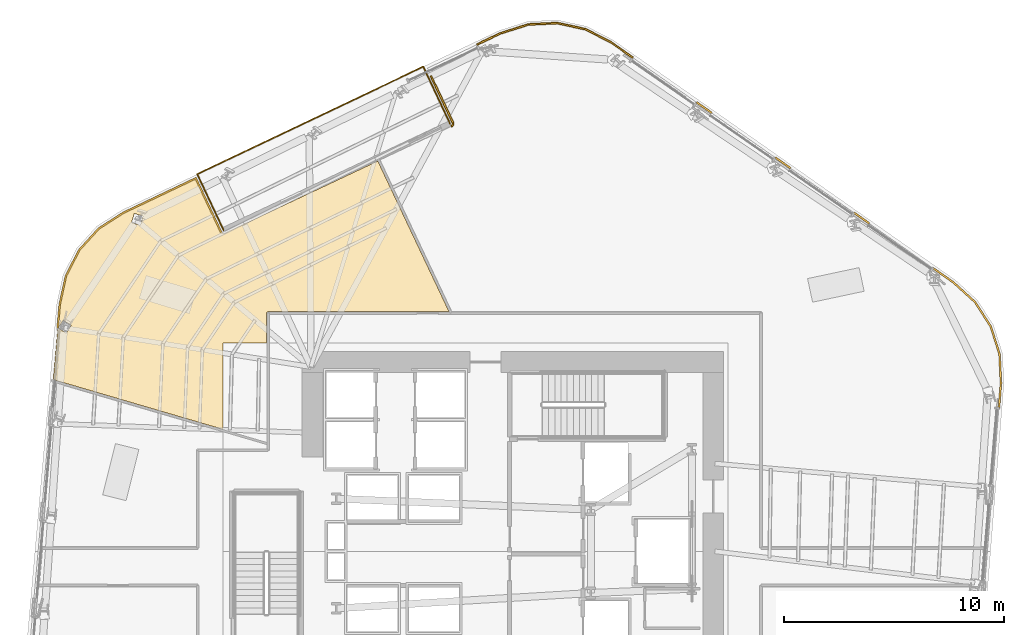
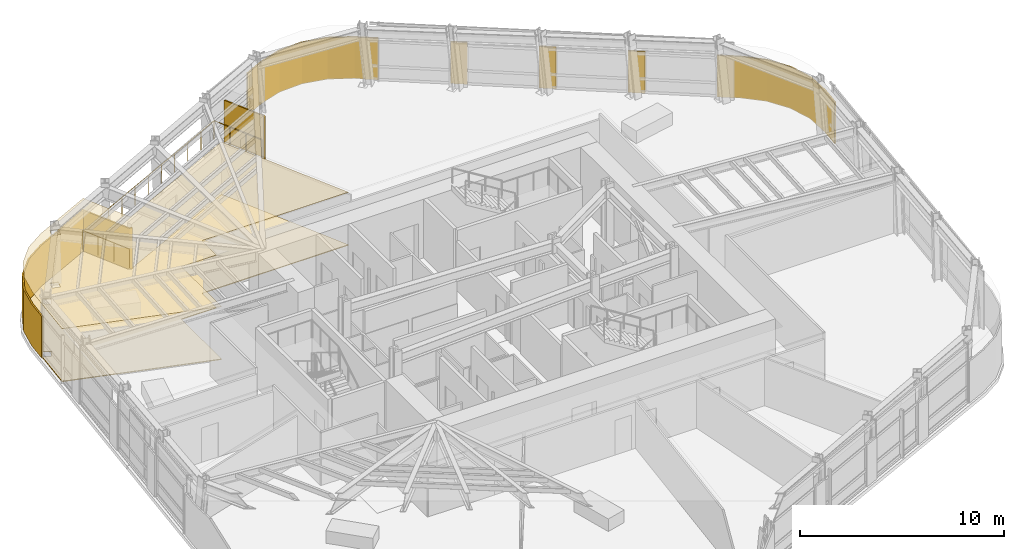
# One storey, part 18 of 19: 9 coverings, 3 railings.
"""IFC4 building model written with IfcOpenShell, lengths in metres."""

import ifcopenshell
import ifcopenshell.guid

model = None  # the IFC model being written
_history = None  # IfcOwnerHistory: only IFC2X3 demands one
_inside = {}  # id of a spatial element -> (the spatial element, [elements in it])
_under = {}  # id of a project, library or spatial element -> (it, [spatial elements below it])
_declared = {}  # id of a project -> (the project, [libraries it declares])
_typed = {}  # id of a type object -> (the type object, [elements of that type])
_made_of = {}  # id of a material, layer set ... -> (it, [elements and type objects made of it])


def new_model(schema):
    """Start an empty IFC model of exactly this schema.

    Asked for "IFC4X3", IfcOpenShell would pick the latest addendum, in which some entities
    have other attributes; the version numbers below select the first issue.
    IFC2X3 requires an IfcOwnerHistory on every rooted entity: one is made here for all.
    """
    global model, _history
    if schema == "IFC4X3":
        model = ifcopenshell.file(schema_version=(4, 3, 0, 0))
    else:
        model = ifcopenshell.file(schema=schema)
    _inside.clear()
    _under.clear()
    _declared.clear()
    _typed.clear()
    _made_of.clear()
    _history = None
    if model.schema == "IFC2X3":
        org = make("IfcOrganization", Name="unknown")
        user = make(
            "IfcPersonAndOrganization",
            ThePerson=make("IfcPerson", FamilyName="unknown"),
            TheOrganization=org,
        )
        app = make(
            "IfcApplication",
            ApplicationDeveloper=org,
            Version="unknown",
            ApplicationFullName="unknown",
            ApplicationIdentifier="unknown",
        )
        _history = make(
            "IfcOwnerHistory",
            OwningUser=user,
            OwningApplication=app,
            ChangeAction="ADDED",
            CreationDate=0,
        )
    return model


def make(cls, **values):
    """One entity of the class cls with the attributes given. An attribute that is None is left unset."""
    return model.create_entity(
        cls, **{name: value for name, value in values.items() if value is not None}
    )


def rooted(cls, **values):
    """An entity with a GlobalId (a new one), such as an element, a storey or a relation."""
    return make(cls, GlobalId=ifcopenshell.guid.new(), OwnerHistory=_history, **values)


def si_unit(unit_type, name, prefix=None):
    """IfcSIUnit, for example si_unit("LENGTHUNIT", "METRE", prefix="MILLI")."""
    return make("IfcSIUnit", UnitType=unit_type, Prefix=prefix, Name=name)


def assignment(units):
    """IfcUnitAssignment: the units of a project."""
    return None if units is None else make("IfcUnitAssignment", Units=units)


def point(xyz):
    """IfcCartesianPoint."""
    return None if xyz is None else make("IfcCartesianPoint", Coordinates=xyz)


def direction(xyz):
    """IfcDirection."""
    return None if xyz is None else make("IfcDirection", DirectionRatios=xyz)


def frame(location, z_axis=None, x_axis=None):
    """IfcAxis2Placement3D, a coordinate frame: its origin and axes. An axis left out is left unset."""
    return make(
        "IfcAxis2Placement3D",
        Location=point(location),
        Axis=direction(z_axis),
        RefDirection=direction(x_axis),
    )


def frame_2d(location, x_axis=None):
    """IfcAxis2Placement2D, a coordinate frame in the plane: its origin and x axis."""
    return make(
        "IfcAxis2Placement2D", Location=point(location), RefDirection=direction(x_axis)
    )


def origin():
    """The frame at (0, 0, 0) with its axes left unset."""
    return frame((0.0, 0.0, 0.0))


def origin_2d():
    """The frame at (0, 0) in the plane with its x axis left unset."""
    return frame_2d((0.0, 0.0))


def place(relative_to, where):
    """IfcLocalPlacement: puts the frame where relative to a parent placement (None: the world)."""
    return make(
        "IfcLocalPlacement", PlacementRelTo=relative_to, RelativePlacement=where
    )


def context(
    kind, dimensions, precision=None, world=None, true_north=None, identifier=None
):
    """IfcGeometricRepresentationContext, for example the 3D "Model" context."""
    return make(
        "IfcGeometricRepresentationContext",
        ContextIdentifier=identifier,
        ContextType=kind,
        CoordinateSpaceDimension=dimensions,
        Precision=precision,
        WorldCoordinateSystem=world,
        TrueNorth=true_north,
    )


def subcontext(parent, identifier, kind, view, scale=None):
    """IfcGeometricRepresentationSubContext, for example "Body" below "Model"."""
    return make(
        "IfcGeometricRepresentationSubContext",
        ContextIdentifier=identifier,
        ContextType=kind,
        ParentContext=parent,
        TargetScale=scale,
        TargetView=view,
    )


def project(units=None, contexts=None):
    """IfcProject with its units and contexts."""
    return rooted(
        "IfcProject",
        Name="project",
        RepresentationContexts=contexts,
        UnitsInContext=assignment(units),
    )


def spatial(cls, under=None, at=None, **own):
    """A site, building, storey or space (cls), placed at a placement, below another one or the project."""
    s = rooted(cls, ObjectPlacement=at, **own)
    if under is not None:
        _under.setdefault(under.id(), (under, []))[1].append(s)
    return s


def polyline(points):
    """IfcPolyline through the points."""
    return make("IfcPolyline", Points=[point(p) for p in points])


def profile(cls, at=None, kind="AREA", **sizes):
    """A parametric profile (cls). Its sizes go by their IFC names, for example OverallWidth=200.0."""
    return make(cls, ProfileType=kind, Position=at, **sizes)


def circle(**sizes):
    """IfcCircleProfileDef."""
    return profile("IfcCircleProfileDef", **sizes)


def outline(outer, holes=None, kind="AREA"):
    """IfcArbitraryClosedProfileDef: a profile drawn as a closed curve; with holes, ...WithVoids."""
    if holes is None:
        return make("IfcArbitraryClosedProfileDef", ProfileType=kind, OuterCurve=outer)
    return make(
        "IfcArbitraryProfileDefWithVoids",
        ProfileType=kind,
        OuterCurve=outer,
        InnerCurves=holes,
    )


def extrude(swept, where, along, depth):
    """IfcExtrudedAreaSolid: the profile swept, set in the frame where, extruded along a direction by depth."""
    return make(
        "IfcExtrudedAreaSolid",
        SweptArea=swept,
        Position=where,
        ExtrudedDirection=direction(along),
        Depth=depth,
    )


def shape(context_of_items, identifier, shape_type, items):
    """IfcShapeRepresentation: the items that make up one representation, for example the "Body"."""
    return make(
        "IfcShapeRepresentation",
        ContextOfItems=context_of_items,
        RepresentationIdentifier=identifier,
        RepresentationType=shape_type,
        Items=items,
    )


def material(Name=None, Category=None):
    """IfcMaterial."""
    return make("IfcMaterial", Name=Name, Category=Category)


def layer(
    of_material, thickness, ventilated=None, Name=None, Category=None, Priority=None
):
    """IfcMaterialLayer: one layer of a wall or slab, of a material (None: an air gap)."""
    return make(
        "IfcMaterialLayer",
        Material=of_material,
        LayerThickness=thickness,
        IsVentilated=ventilated,
        Name=Name,
        Category=Category,
        Priority=Priority,
    )


def layer_set(layers, Name=None):
    """IfcMaterialLayerSet."""
    return make("IfcMaterialLayerSet", MaterialLayers=layers, LayerSetName=Name)


def made_of(thing, what):
    """Note that an element or type object is made of a material, layer set ...; save() writes the relation."""
    if what is not None:
        _made_of.setdefault(what.id(), (what, []))[1].append(thing)
    return thing


def type_object(cls, material=None, **own):
    """A type object (cls), such as IfcWallType, which elements share."""
    return made_of(rooted(cls, **own), material)


def element(
    cls,
    number,
    at=None,
    inside=None,
    cuts=None,
    type_object=None,
    material=None,
    context=None,
    identifier="Body",
    shape_type=None,
    held_by="IfcProductDefinitionShape",
    body=None,
    shapes=None,
    **own,
):
    """One element of the class cls, such as IfcWall. Its Tag is "e" and its number.

    at: its placement. inside: the storey or other place that contains it. cuts: it is an
    opening in that element (IfcRelVoidsElement). A single representation is given by context,
    identifier, shape_type and body (its items); several are given by shapes. held_by: the class
    of the entity that holds the representations. save() writes the other relations.
    """
    e = rooted(cls, Tag="e%d" % number, ObjectPlacement=at, **own)
    if body is not None:
        shapes = [shape(context, identifier, shape_type, body)]
    if shapes is not None:
        e.Representation = make(held_by, Representations=shapes)
    if inside is not None:
        _inside.setdefault(inside.id(), (inside, []))[1].append(e)
    if cuts is not None:
        rooted(
            "IfcRelVoidsElement", RelatingBuildingElement=cuts, RelatedOpeningElement=e
        )
    if type_object is not None:
        _typed.setdefault(type_object.id(), (type_object, []))[1].append(e)
    return made_of(e, material)


def aggregate(whole, parts):
    """IfcRelAggregates: a whole, such as a stair, and the parts it consists of."""
    return rooted("IfcRelAggregates", RelatingObject=whole, RelatedObjects=parts)


def save(model, path):
    """Write the relations noted so far, then the file.

    IfcRelAggregates (storeys below a building ...), IfcRelContainedInSpatialStructure (elements
    in a storey), IfcRelDefinesByType, IfcRelAssociatesMaterial and IfcRelDeclares: one each for
    every whole, place, type object, material and project.
    """
    for whole, parts in _under.values():
        aggregate(whole, parts)
    for where, things in _inside.values():
        rooted(
            "IfcRelContainedInSpatialStructure",
            RelatedElements=things,
            RelatingStructure=where,
        )
    for kind, things in _typed.values():
        rooted("IfcRelDefinesByType", RelatedObjects=things, RelatingType=kind)
    for what, things in _made_of.values():
        rooted("IfcRelAssociatesMaterial", RelatedObjects=things, RelatingMaterial=what)
    for by, libraries in _declared.values():
        rooted("IfcRelDeclares", RelatingContext=by, RelatedDefinitions=libraries)
    model.write(path)


model = new_model("IFC4")

# Units and contexts
model_context = context("Model", 3, precision=1e-05, world=origin(), true_north=direction((0.0, 1.0)))
body_context = subcontext(model_context, "Body", "Model", "MODEL_VIEW")
ifc_project = project(units=[si_unit("LENGTHUNIT", "METRE"), si_unit("AREAUNIT", "SQUARE_METRE"), si_unit("VOLUMEUNIT", "CUBIC_METRE"), si_unit("PLANEANGLEUNIT", "RADIAN"), si_unit("MASSUNIT", "GRAM", prefix="KILO")], contexts=[model_context])

# Site, building, storey
site_placement = place(None, origin())
site = spatial("IfcSite", under=ifc_project, at=site_placement, CompositionType="ELEMENT")
building_placement = place(site_placement, origin())
building = spatial("IfcBuilding", under=site, at=building_placement, Name="Valkerne Bourse Tower", CompositionType="ELEMENT")
storey_placement = place(building_placement, frame((0.0, 0.0, 131.39990234375)))
storey = spatial("IfcBuildingStorey", under=building, at=storey_placement, Name="L33", CompositionType="ELEMENT", Elevation=131.39990234375)

# Coverings
ifc_material_1 = material(Name="Mineral Fiber Acoustic Ceiling Tile", Category="acoustic")
ifc_layer_1 = layer(ifc_material_1, 0.02490234375)
ifc_layer_set_1 = layer_set([ifc_layer_1], Name="Mineral Fiber Acoustic Ceiling Tile")
covering_type_1 = type_object("IfcCoveringType", Name="COV-CEIL-ACT", PredefinedType="CEILING", material=ifc_layer_set_1)
covering_1_placement = place(storey_placement, frame((0.0, 0.0, 3.170166015625)))
element("IfcCovering", 1, at=covering_1_placement, inside=storey, type_object=covering_type_1, Name="L33 Suspended Ceiling 08", PredefinedType="CEILING", context=body_context, shape_type="SweptSolid", body=[
    extrude(outline(polyline([(27.051025390625, 40.725830078125), (27.939208984375, 41.701904296875), (29.057861328125, 42.419921875), (32.348388671875, 43.985595703125), (33.486083984375, 41.568115234375), (33.509521484375, 41.533203125), (33.5419921875, 41.506103515625), (33.5810546875, 41.489990234375), (33.623291015625, 41.485595703125), (33.67724609375, 41.4990234375), (40.644775390625, 44.77783203125), (43.889404296875, 37.9189453125), (35.6494140625, 37.9189453125), (35.609375, 37.906005859375), (35.587890625, 37.880126953125), (35.5810546875, 37.8505859375), (35.5810546875, 36.5), (33.60009765625, 36.5), (33.60009765625, 32.55419921875), (25.85986328125, 34.821044921875), (26.16259765625, 38.25439453125), (26.44580078125, 39.55322265625), (27.051025390625, 40.725830078125)]), holes=[polyline([(26.67724609375, 37.2958984375), (26.3095703125, 37.52294921875), (26.09130859375, 37.170166015625), (26.089599609375, 37.1669921875), (26.457275390625, 36.93994140625), (26.67578125, 37.292724609375), (26.67724609375, 37.2958984375)]), polyline([(29.95068359375, 42.271728515625), (29.5517578125, 42.391357421875), (29.549560546875, 42.388916015625), (29.427490234375, 41.975830078125), (29.826416015625, 41.8564453125), (29.82861328125, 41.85888671875), (29.95068359375, 42.271728515625)])]), origin(), (0.0, 0.0, 1.0), 0.02490234375),
])
ifc_material_2 = material(Name="Bronze Anodised Aluminium AA 6063-T6", Category="aluminium")
ifc_layer_2 = layer(ifc_material_2, 0.06005859375)
ifc_layer_set_2 = layer_set([ifc_layer_2], Name="Bronze Anodised Aluminium AA 6063-T6")
covering_type_2 = type_object("IfcCoveringType", Name="COV-CRN-ALUM", PredefinedType="CLADDING", material=ifc_layer_set_2)
covering_2_placement = place(storey_placement, origin())
element("IfcCovering", 2, at=covering_2_placement, inside=storey, type_object=covering_type_2, Name="L33 Wind-Shaped Corner Aluminium Cladding 01", PredefinedType="CLADDING", context=body_context, shape_type="SweptSolid", body=[
    extrude(outline(polyline([(48.823974609375, 51.103271484375), (50.12451171875, 50.819580078125), (51.31298828125, 50.2060546875), (52.289306640625, 49.521484375), (52.243408203125, 49.455810546875), (51.271484375, 50.137451171875), (50.097412109375, 50.74365234375), (48.817138671875, 51.022705078125), (47.5087890625, 50.9609375), (46.24951171875, 50.55908203125), (45.177734375, 50.04931640625), (45.1435546875, 50.12158203125), (46.22021484375, 50.6337890625), (47.494384765625, 51.040283203125), (48.823974609375, 51.103271484375)])), origin(), (0.0, 0.0, 1.0), 2.5),
])
covering_3_placement = place(storey_placement, origin())
element("IfcCovering", 3, at=covering_3_placement, inside=storey, type_object=covering_type_2, Name="L33 Wind-Shaped Corner Aluminium Cladding 02", PredefinedType="CLADDING", context=body_context, shape_type="SweptSolid", body=[
    extrude(outline(polyline([(55.877685546875, 47.0048828125), (55.83203125, 46.939208984375), (55.144287109375, 47.42138671875), (55.18994140625, 47.4873046875), (55.877685546875, 47.0048828125)])), origin(), (0.0, 0.0, 1.0), 2.5),
])
covering_4_placement = place(storey_placement, origin())
element("IfcCovering", 4, at=covering_4_placement, inside=storey, type_object=covering_type_2, Name="L33 Wind-Shaped Corner Aluminium Cladding 03", PredefinedType="CLADDING", context=body_context, shape_type="SweptSolid", body=[
    extrude(outline(polyline([(59.466064453125, 44.48828125), (59.42041015625, 44.422607421875), (58.732666015625, 44.90478515625), (58.7783203125, 44.970703125), (59.466064453125, 44.48828125)])), origin(), (0.0, 0.0, 1.0), 2.5),
])
covering_5_placement = place(storey_placement, origin())
element("IfcCovering", 5, at=covering_5_placement, inside=storey, type_object=covering_type_2, Name="L33 Wind-Shaped Corner Aluminium Cladding 04", PredefinedType="CLADDING", context=body_context, shape_type="SweptSolid", body=[
    extrude(outline(polyline([(63.054443359375, 41.971435546875), (63.0087890625, 41.90576171875), (62.3212890625, 42.38818359375), (62.366943359375, 42.453857421875), (63.054443359375, 41.971435546875)])), origin(), (0.0, 0.0, 1.0), 2.5),
])
covering_6_placement = place(storey_placement, origin())
element("IfcCovering", 6, at=covering_6_placement, inside=storey, type_object=covering_type_2, Name="L33 Wind-Shaped Corner Aluminium Cladding 05", PredefinedType="CLADDING", context=body_context, shape_type="SweptSolid", body=[
    extrude(outline(polyline([(66.892822265625, 39.27978515625), (67.88232421875, 38.379150390625), (68.6015625, 37.259033203125), (69.006103515625, 35.990966796875), (69.0693359375, 34.654296875), (68.978271484375, 33.512939453125), (68.898681640625, 33.519775390625), (68.9892578125, 34.65576171875), (68.9267578125, 35.9765625), (68.528564453125, 37.224609375), (67.82080078125, 38.3271484375), (66.8427734375, 39.217041015625), (65.90966796875, 39.871337890625), (65.955322265625, 39.93701171875), (66.892822265625, 39.27978515625)])), origin(), (0.0, 0.0, 1.0), 2.5),
])
covering_7_placement = place(storey_placement, origin())
element("IfcCovering", 7, at=covering_7_placement, inside=storey, type_object=covering_type_2, Name="L33 Wind-Shaped Corner Aluminium Cladding 21", PredefinedType="CLADDING", context=body_context, shape_type="SweptSolid", body=[
    extrude(outline(polyline([(26.119140625, 38.260986328125), (26.404052734375, 39.568359375), (27.0146484375, 40.751220703125), (27.910400390625, 41.73583984375), (29.03662109375, 42.45849609375), (32.369384765625, 44.044189453125), (33.52587890625, 41.5869140625), (33.530517578125, 41.578369140625), (33.535888671875, 41.5703125), (33.5419921875, 41.5625), (33.549072265625, 41.5556640625), (33.556640625, 41.54931640625), (33.564697265625, 41.5439453125), (33.573486328125, 41.539306640625), (33.58251953125, 41.535400390625), (33.591796875, 41.53271484375), (33.601318359375, 41.53076171875), (33.611083984375, 41.52978515625), (33.62109375, 41.52978515625), (33.630859375, 41.53076171875), (33.640380859375, 41.532470703125), (33.64990234375, 41.535400390625), (33.658935546875, 41.5390625), (33.69287109375, 41.466796875), (33.676513671875, 41.4599609375), (33.65966796875, 41.454833984375), (33.642333984375, 41.451416015625), (33.624755859375, 41.44970703125), (33.607177734375, 41.44970703125), (33.589599609375, 41.45166015625), (33.572265625, 41.455078125), (33.555419921875, 41.460205078125), (33.5390625, 41.467041015625), (33.5234375, 41.475341796875), (33.5087890625, 41.485107421875), (33.4951171875, 41.49658203125), (33.482666015625, 41.509033203125), (33.471435546875, 41.522705078125), (33.461669921875, 41.537353515625), (33.453369140625, 41.552978515625), (32.331298828125, 43.9375), (29.075439453125, 42.388427734375), (27.962646484375, 41.674072265625), (27.080810546875, 40.705078125), (26.47998046875, 39.541015625), (26.198486328125, 38.248779296875), (26.09814453125, 37.11376953125), (26.0185546875, 37.120361328125), (26.119140625, 38.260986328125)])), origin(), (0.0, 0.0, 1.0), 2.5),
])
covering_8_placement = place(storey_placement, origin())
element("IfcCovering", 8, at=covering_8_placement, inside=storey, type_object=covering_type_2, Name="L33 Wind-Shaped Corner Aluminium Cladding 22", PredefinedType="CLADDING", context=body_context, shape_type="SweptSolid", body=[
    extrude(outline(polyline([(43.973876953125, 46.39306640625), (43.982421875, 46.397705078125), (43.99072265625, 46.403076171875), (43.998291015625, 46.4091796875), (44.00537109375, 46.416259765625), (44.011474609375, 46.423828125), (44.01708984375, 46.431884765625), (44.021484375, 46.440673828125), (44.025390625, 46.44970703125), (44.0283203125, 46.458984375), (44.0302734375, 46.468505859375), (44.03125, 46.478515625), (44.03125, 46.48828125), (44.0302734375, 46.498046875), (44.0283203125, 46.507568359375), (44.025390625, 46.51708984375), (44.021728515625, 46.526123046875), (43.026611328125, 48.640625), (43.09912109375, 48.6748046875), (44.09423828125, 46.56005859375), (44.100830078125, 46.543701171875), (44.10595703125, 46.52685546875), (44.109375, 46.509521484375), (44.111083984375, 46.491943359375), (44.111083984375, 46.474365234375), (44.109375, 46.456787109375), (44.105712890625, 46.439453125), (44.1005859375, 46.422607421875), (44.093994140625, 46.40625), (44.08544921875, 46.390625), (44.07568359375, 46.3759765625), (44.064453125, 46.3623046875), (44.052001953125, 46.349853515625), (44.0380859375, 46.338623046875), (44.0234375, 46.328857421875), (44.0078125, 46.320556640625), (43.973876953125, 46.39306640625), (43.973876953125, 46.39306640625)])), origin(), (0.0, 0.0, 1.0), 2.5),
])
ifc_material_3 = material(Name="Galvanised Painted Steel", Category="steel")
ifc_layer_3 = layer(ifc_material_3, 0.044921875)
ifc_layer_set_3 = layer_set([ifc_layer_3], Name="Galvanised Painted Steel")
covering_type_3 = type_object("IfcCoveringType", Name="COV-FLR-RAF", PredefinedType="FLOORING", material=ifc_layer_set_3)
covering_9_placement = place(storey_placement, origin())
element("IfcCovering", 9, at=covering_9_placement, inside=storey, type_object=covering_type_3, Name="L33 Floor Finish 08", PredefinedType="FLOORING", context=body_context, shape_type="SweptSolid", body=[
    extrude(outline(polyline([(27.051025390625, 40.725830078125), (27.939208984375, 41.701904296875), (29.057861328125, 42.419921875), (32.348388671875, 43.985595703125), (33.486083984375, 41.568115234375), (33.509521484375, 41.533203125), (33.5419921875, 41.506103515625), (33.5810546875, 41.489990234375), (33.623291015625, 41.485595703125), (33.67724609375, 41.4990234375), (40.644775390625, 44.77783203125), (43.889404296875, 37.9189453125), (35.6494140625, 37.9189453125), (35.609375, 37.906005859375), (35.587890625, 37.880126953125), (35.5810546875, 37.8505859375), (35.5810546875, 36.5), (33.60009765625, 36.5), (33.60009765625, 32.55419921875), (25.85986328125, 34.821044921875), (26.16259765625, 38.25439453125), (26.44580078125, 39.55322265625), (27.051025390625, 40.725830078125)]), holes=[polyline([(26.67724609375, 37.2958984375), (26.3095703125, 37.52294921875), (26.09130859375, 37.170166015625), (26.089599609375, 37.1669921875), (26.457275390625, 36.93994140625), (26.67578125, 37.292724609375), (26.67724609375, 37.2958984375)]), polyline([(29.95068359375, 42.271728515625), (29.5517578125, 42.391357421875), (29.549560546875, 42.388916015625), (29.427490234375, 41.975830078125), (29.826416015625, 41.8564453125), (29.82861328125, 41.85888671875), (29.95068359375, 42.271728515625)])]), origin(), (0.0, 0.0, 1.0), 0.045166015625),
])

# Railings
ifc_material_4 = material(Name="Laminated Tempered Safety Glass", Category="glass")
railing_type = type_object("IfcRailingType", Name="RLG-GUARD-1150", PredefinedType="BALUSTRADE", material=ifc_material_4)
railing_1_placement = place(storey_placement, frame((42.711669921875, 49.0751953125, 0.0)))
element("IfcRailing", 10, at=railing_1_placement, inside=storey, type_object=railing_type, Name="L33 V-Notch Terrace Glass Balustrade 1", PredefinedType="BALUSTRADE", context=body_context, shape_type="SweptSolid", body=[
    extrude(circle(Radius=0.02392578125, at=origin_2d()), frame((0.0, 0.0, 1.1259765625), z_axis=(0.425813454672, -0.90481097574, 0.0), x_axis=(0.90481097574, 0.425813454672, 0.0)), (0.0, 0.0, 1.0), 2.864501953125),
    extrude(circle(Radius=0.02099609375, at=origin_2d()), origin(), (0.0, 0.0, 1.0), 1.101806640625),
    extrude(circle(Radius=0.02099609375, at=origin_2d()), frame((0.406494140625, -0.864013671875, 0.0)), (0.0, 0.0, 1.0), 1.101806640625),
    extrude(circle(Radius=0.02099609375, at=origin_2d()), frame((0.813232421875, -1.727783203125, 0.0)), (0.0, 0.0, 1.0), 1.101806640625),
    extrude(circle(Radius=0.02099609375, at=origin_2d()), frame((1.2197265625, -2.591796875, 0.0)), (0.0, 0.0, 1.0), 1.101806640625),
])
railing_2_placement = place(storey_placement, frame((33.6162109375, 41.629638671875, 0.0)))
element("IfcRailing", 11, at=railing_2_placement, inside=storey, type_object=railing_type, Name="L33 V-Notch Terrace Glass Balustrade 2", PredefinedType="BALUSTRADE", context=body_context, shape_type="SweptSolid", body=[
    extrude(circle(Radius=0.02392578125, at=origin_2d()), frame((0.0, 0.0, 1.1259765625), z_axis=(-0.425759459915, 0.904836384267, 0.0), x_axis=(-0.904836384267, -0.425759459915, 0.0)), (0.0, 0.0, 1.0), 2.816162109375),
    extrude(circle(Radius=0.02099609375, at=origin_2d()), origin(), (0.0, 0.0, 1.0), 1.101806640625),
    extrude(circle(Radius=0.02099609375, at=origin_2d()), frame((-0.399658203125, 0.849365234375, 0.0)), (0.0, 0.0, 1.0), 1.101806640625),
    extrude(circle(Radius=0.02099609375, at=origin_2d()), frame((-0.79931640625, 1.69873046875, 0.0)), (0.0, 0.0, 1.0), 1.101806640625),
    extrude(circle(Radius=0.02099609375, at=origin_2d()), frame((-1.198974609375, 2.548095703125, 0.0)), (0.0, 0.0, 1.0), 1.101806640625),
])
railing_3_placement = place(storey_placement, frame((32.417236328125, 44.177734375, 0.0)))
element("IfcRailing", 12, at=railing_3_placement, inside=storey, type_object=railing_type, Name="L33 V-Notch Terrace Glass Balustrade 3", PredefinedType="BALUSTRADE", context=body_context, shape_type="SweptSolid", body=[
    extrude(circle(Radius=0.02392578125, at=origin_2d()), frame((0.0, 0.0, 1.1259765625), z_axis=(0.903018799951, 0.429601032278, 0.0), x_axis=(-0.429601032278, 0.903018799951, 0.0)), (0.0, 0.0, 1.0), 11.39990234375),
    extrude(circle(Radius=0.02099609375, at=origin_2d()), origin(), (0.0, 0.0, 1.0), 1.101806640625),
    extrude(circle(Radius=0.02099609375, at=origin_2d()), frame((1.029541015625, 0.48974609375, 0.0)), (0.0, 0.0, 1.0), 1.101806640625),
    extrude(circle(Radius=0.02099609375, at=origin_2d()), frame((2.058837890625, 0.9794921875, 0.0)), (0.0, 0.0, 1.0), 1.101806640625),
    extrude(circle(Radius=0.02099609375, at=origin_2d()), frame((3.08837890625, 1.46923828125, 0.0)), (0.0, 0.0, 1.0), 1.101806640625),
    extrude(circle(Radius=0.02099609375, at=origin_2d()), frame((4.11767578125, 1.958984375, 0.0)), (0.0, 0.0, 1.0), 1.101806640625),
    extrude(circle(Radius=0.02099609375, at=origin_2d()), frame((5.147216796875, 2.44873046875, 0.0)), (0.0, 0.0, 1.0), 1.101806640625),
    extrude(circle(Radius=0.02099609375, at=origin_2d()), frame((6.1767578125, 2.9384765625, 0.0)), (0.0, 0.0, 1.0), 1.101806640625),
    extrude(circle(Radius=0.02099609375, at=origin_2d()), frame((7.2060546875, 3.42822265625, 0.0)), (0.0, 0.0, 1.0), 1.101806640625),
    extrude(circle(Radius=0.02099609375, at=origin_2d()), frame((8.235595703125, 3.91796875, 0.0)), (0.0, 0.0, 1.0), 1.101806640625),
    extrude(circle(Radius=0.02099609375, at=origin_2d()), frame((9.264892578125, 4.40771484375, 0.0)), (0.0, 0.0, 1.0), 1.101806640625),
    extrude(circle(Radius=0.02099609375, at=origin_2d()), frame((10.29443359375, 4.8974609375, 0.0)), (0.0, 0.0, 1.0), 1.101806640625),
])

save(model, "model.ifc")
